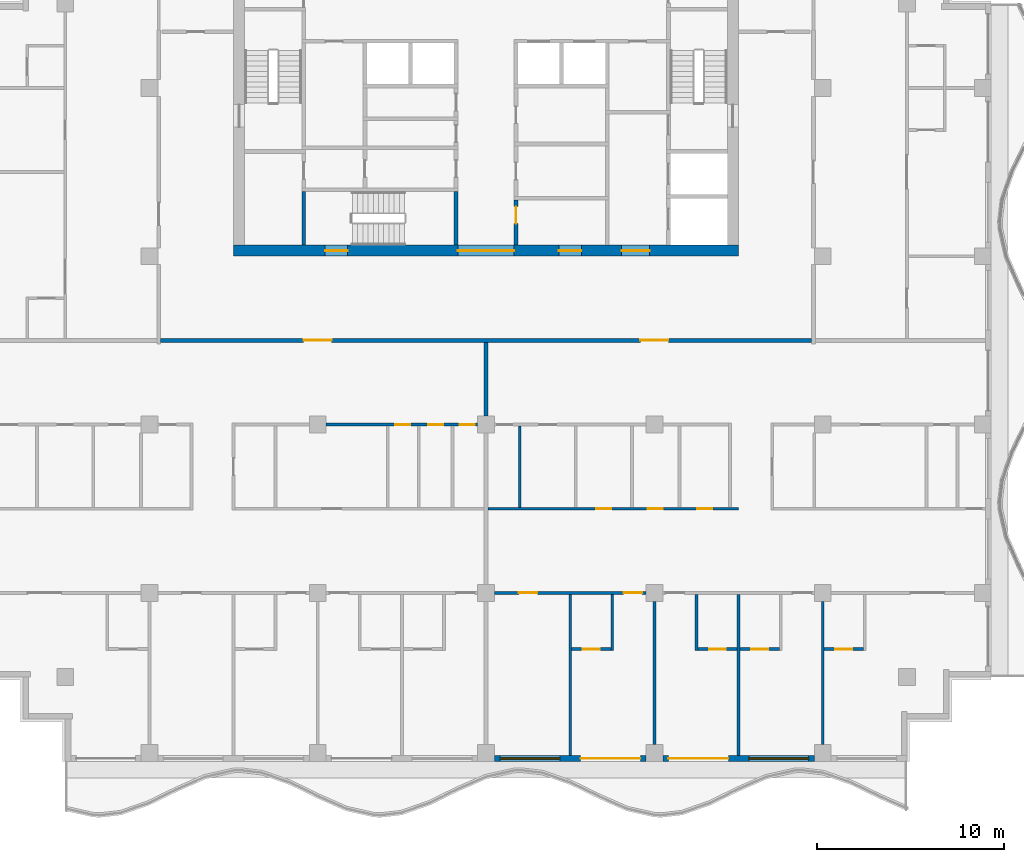
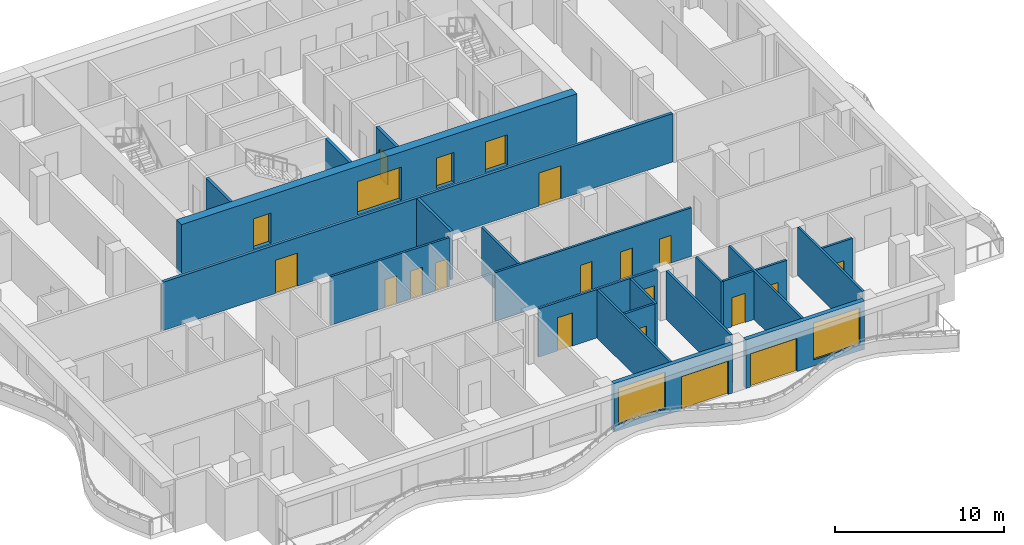
# One storey, part 3 of 11: 22 walls, 21 doors, 2 windows, 23 openings.
"""IFC4 building model written with IfcOpenShell, lengths in metres."""

from ifc_helpers import new_model, si_unit, direction, frame, frame_2d, origin, place, context, subcontext, project, spatial, rectangle, extrude, material, layer, layer_set, type_object, element, fill, save


model = new_model("IFC4")

# Units and contexts
model_context = context("Model", 3, precision=1e-05, world=origin(), true_north=direction((0.0, 1.0)))
body_context = subcontext(model_context, "Body", "Model", "MODEL_VIEW")
ifc_project = project(units=[si_unit("LENGTHUNIT", "METRE"), si_unit("AREAUNIT", "SQUARE_METRE"), si_unit("VOLUMEUNIT", "CUBIC_METRE"), si_unit("PLANEANGLEUNIT", "RADIAN"), si_unit("MASSUNIT", "GRAM", prefix="KILO")], contexts=[model_context])

# Site, building, storey
site_placement = place(None, origin())
site = spatial("IfcSite", under=ifc_project, at=site_placement, CompositionType="ELEMENT")
building_placement = place(site_placement, origin())
building = spatial("IfcBuilding", under=site, at=building_placement, Name="Orbiselva Terraces", CompositionType="ELEMENT")
storey_placement = place(building_placement, frame((0.0, 0.0, 276.8)))
storey = spatial("IfcBuildingStorey", under=building, at=storey_placement, Name="L70", CompositionType="ELEMENT", Elevation=276.8)

# Wall, openings, doors
ifc_material_1 = material(Name="Concrete C80/95", Category="concrete")
ifc_layer_1 = layer(ifc_material_1, 0.6)
ifc_layer_set_1 = layer_set([ifc_layer_1], Name="Concrete C80/95")
wall_type_1 = type_object("IfcWallType", Name="CORE WALL 600", PredefinedType="SHEAR", material=ifc_layer_set_1)
wall_1_placement = place(storey_placement, frame((-13.5, 4.8, -0.3), z_axis=(0.0, 0.0, 1.0), x_axis=(1.0, 0.0, 0.0)))
wall_1 = element("IfcWall", 1, at=wall_1_placement, inside=storey, type_object=wall_type_1, Name="Core wall L70 south", PredefinedType="SHEAR", context=body_context, shape_type="SweptSolid", body=[
    extrude(rectangle(XDim=27.0, YDim=0.6, at=frame_2d((13.5, 0.0))), origin(), (0.0, 0.0, 1.0), 3.8),
])
opening_1_placement = place(wall_1_placement, frame((12.0, 0.0, 0.3)))
opening_1 = element("IfcOpeningElement", 2, at=opening_1_placement, cuts=wall_1, Name="Opening DL3000", PredefinedType="OPENING", context=body_context, shape_type="SweptSolid", body=[
    extrude(rectangle(XDim=3.0, YDim=2.4, at=frame_2d((1.5, 1.2))), frame((0.0, 0.31, 0.0), z_axis=(0.0, -1.0, 0.0), x_axis=(1.0, 0.0, 0.0)), (0.0, 0.0, 1.0), 0.62),
])
opening_2_placement = place(wall_1_placement, frame((4.9, 0.0, 0.3)))
opening_2 = element("IfcOpeningElement", 3, at=opening_2_placement, cuts=wall_1, Name="Opening DS1200", PredefinedType="OPENING", context=body_context, shape_type="SweptSolid", body=[
    extrude(rectangle(XDim=1.2, YDim=2.2, at=frame_2d((0.6, 1.1))), frame((0.0, 0.31, 0.0), z_axis=(0.0, -1.0, 0.0), x_axis=(1.0, 0.0, 0.0)), (0.0, 0.0, 1.0), 0.62),
])
opening_3_placement = place(wall_1_placement, frame((20.75, 0.0, 0.3)))
opening_3 = element("IfcOpeningElement", 4, at=opening_3_placement, cuts=wall_1, Name="Opening DF1500", PredefinedType="OPENING", context=body_context, shape_type="SweptSolid", body=[
    extrude(rectangle(XDim=1.5, YDim=2.2, at=frame_2d((0.75, 1.1))), frame((0.0, 0.31, 0.0), z_axis=(0.0, -1.0, 0.0), x_axis=(1.0, 0.0, 0.0)), (0.0, 0.0, 1.0), 0.62),
])
opening_4_placement = place(wall_1_placement, frame((17.4, 0.0, 0.3)))
opening_4 = element("IfcOpeningElement", 5, at=opening_4_placement, cuts=wall_1, Name="Opening DV1200", PredefinedType="OPENING", context=body_context, shape_type="SweptSolid", body=[
    extrude(rectangle(XDim=1.2, YDim=2.2, at=frame_2d((0.6, 1.1))), frame((0.0, 0.31, 0.0), z_axis=(0.0, -1.0, 0.0), x_axis=(1.0, 0.0, 0.0)), (0.0, 0.0, 1.0), 0.62),
])
ifc_material_2 = material(Name="Steel fire door", Category="steel")
door_type_1 = type_object("IfcDoorType", Name="FFL DOOR 1500", OperationType="DOUBLE_DOOR_SINGLE_SWING", PredefinedType="DOOR", material=ifc_material_2)
door_1_placement = place(opening_3_placement, frame((1.5, 0.0, 0.0), z_axis=(0.0, 0.0, 1.0), x_axis=(-1.0, 0.0, 0.0)))
door_1 = element("IfcDoor", 6, at=door_1_placement, inside=storey, type_object=door_type_1, Name="L70 FIRE-FIGHTING LOBBY door", OperationType="DOUBLE_DOOR_SINGLE_SWING", OverallHeight=2.2, OverallWidth=1.5, PredefinedType="DOOR", context=body_context, shape_type="SweptSolid", body=[
    extrude(rectangle(XDim=1.5, YDim=2.2, at=frame_2d((0.75, 1.1))), frame((0.0, 0.025, 0.0), z_axis=(0.0, -1.0, 0.0), x_axis=(1.0, 0.0, 0.0)), (0.0, 0.0, 1.0), 0.05),
])
fill(opening_3, door_1)
door_type_2 = type_object("IfcDoorType", Name="LOBBY DOOR 3000", OperationType="DOUBLE_DOOR_SINGLE_SWING", PredefinedType="DOOR", material=ifc_material_2)
door_2_placement = place(opening_1_placement, frame((3.0, 0.0, 0.0), z_axis=(0.0, 0.0, 1.0), x_axis=(-1.0, 0.0, 0.0)))
door_2 = element("IfcDoor", 7, at=door_2_placement, inside=storey, type_object=door_type_2, Name="L70 LIFT LOBBY door", OperationType="DOUBLE_DOOR_SINGLE_SWING", OverallHeight=2.4, OverallWidth=3.0, PredefinedType="DOOR", context=body_context, shape_type="SweptSolid", body=[
    extrude(rectangle(XDim=3.0, YDim=2.4, at=frame_2d((1.5, 1.2))), frame((0.0, 0.025, 0.0), z_axis=(0.0, -1.0, 0.0), x_axis=(1.0, 0.0, 0.0)), (0.0, 0.0, 1.0), 0.05),
])
fill(opening_1, door_2)
door_type_3 = type_object("IfcDoorType", Name="SERVICE DOOR 1200", OperationType="NOTDEFINED", PredefinedType="DOOR", material=ifc_material_2)
door_3_placement = place(opening_4_placement, frame((1.2, 0.0, 0.0), z_axis=(0.0, 0.0, 1.0), x_axis=(-1.0, 0.0, 0.0)))
door_3 = element("IfcDoor", 8, at=door_3_placement, inside=storey, type_object=door_type_3, Name="L70 ELECTRICAL RISER ROOM door", OperationType="SINGLE_SWING_RIGHT", OverallHeight=2.2, OverallWidth=1.2, PredefinedType="DOOR", context=body_context, shape_type="SweptSolid", body=[
    extrude(rectangle(XDim=1.2, YDim=2.2, at=frame_2d((0.6, 1.1))), frame((0.0, 0.025, 0.0), z_axis=(0.0, -1.0, 0.0), x_axis=(1.0, 0.0, 0.0)), (0.0, 0.0, 1.0), 0.05),
])
fill(opening_4, door_3)
door_type_4 = type_object("IfcDoorType", Name="STAIR DOOR 1200", OperationType="NOTDEFINED", PredefinedType="DOOR", material=ifc_material_2)
door_4_placement = place(opening_2_placement, frame((1.2, 0.0, 0.0), z_axis=(0.0, 0.0, 1.0), x_axis=(-1.0, 0.0, 0.0)))
door_4 = element("IfcDoor", 9, at=door_4_placement, inside=storey, type_object=door_type_4, Name="L70 EXIT STAIR S3 door", OperationType="SINGLE_SWING_LEFT", OverallHeight=2.2, OverallWidth=1.2, PredefinedType="DOOR", context=body_context, shape_type="SweptSolid", body=[
    extrude(rectangle(XDim=1.2, YDim=2.2, at=frame_2d((0.6, 1.1))), frame((0.0, 0.025, 0.0), z_axis=(0.0, -1.0, 0.0), x_axis=(1.0, 0.0, 0.0)), (0.0, 0.0, 1.0), 0.05),
])
fill(opening_2, door_4)

# Wall, opening, door
ifc_material_3 = material(Name="Masonry blockwork", Category="masonry")
ifc_layer_2 = layer(ifc_material_3, 0.2)
ifc_layer_set_2 = layer_set([ifc_layer_2], Name="Masonry blockwork")
wall_type_2 = type_object("IfcWallType", Name="CORE-WALL-PARTITION-200", PredefinedType="PARTITIONING", material=ifc_layer_set_2)
wall_2_placement = place(storey_placement, frame((1.6, 7.5, 0.0), z_axis=(0.0, 0.0, 1.0), x_axis=(0.0, -1.0, 0.0)))
wall_2 = element("IfcWall", 10, at=wall_2_placement, inside=storey, type_object=wall_type_2, Name="L70 core wall 27", PredefinedType="PARTITIONING", context=body_context, shape_type="SweptSolid", body=[
    extrude(rectangle(XDim=2.4, YDim=0.2, at=frame_2d((1.2, 0.0))), origin(), (0.0, 0.0, 1.0), 3.5),
])
opening_5_placement = place(wall_2_placement, frame((0.35, 0.0, 0.0)))
opening_5 = element("IfcOpeningElement", 11, at=opening_5_placement, cuts=wall_2, Name="Opening DR900", PredefinedType="OPENING", context=body_context, shape_type="SweptSolid", body=[
    extrude(rectangle(XDim=0.9, YDim=2.1, at=frame_2d((0.45, 1.05))), frame((0.0, 0.11, 0.0), z_axis=(0.0, -1.0, 0.0), x_axis=(1.0, 0.0, 0.0)), (0.0, 0.0, 1.0), 0.22),
])
door_type_5 = type_object("IfcDoorType", Name="ROOM DOOR 900", OperationType="NOTDEFINED", PredefinedType="DOOR", material=ifc_material_2)
door_5_placement = place(opening_5_placement, origin())
door_5 = element("IfcDoor", 12, at=door_5_placement, inside=storey, type_object=door_type_5, Name="L70 ELECTRICAL RISER ROOM door", OperationType="SINGLE_SWING_LEFT", OverallHeight=2.1, OverallWidth=0.9, PredefinedType="DOOR", context=body_context, shape_type="SweptSolid", body=[
    extrude(rectangle(XDim=0.9, YDim=2.1, at=frame_2d((0.45, 1.05))), frame((0.0, 0.025, 0.0), z_axis=(0.0, -1.0, 0.0), x_axis=(1.0, 0.0, 0.0)), (0.0, 0.0, 1.0), 0.05),
])
fill(opening_5, door_5)

# Walls
ifc_material_4 = material(Name="Concrete C60/75", Category="concrete")
ifc_layer_3 = layer(ifc_material_4, 0.2)
ifc_layer_set_3 = layer_set([ifc_layer_3], Name="Concrete C60/75")
wall_type_3 = type_object("IfcWallType", Name="CORE-WALL-SHEAR-200", PredefinedType="SHEAR", material=ifc_layer_set_3)
for number, where, z_axis, x_axis, name in (
    (13, (-9.75, 5.1, 0.0), (0.0, 0.0, 1.0), (0.0, 1.0, 0.0), "L70 core wall 03"),
    (14, (-1.6, 5.1, 0.0), (0.0, 0.0, 1.0), (0.0, 1.0, 0.0), "L70 core wall 21"),
):
    element("IfcWall", number, at=place(storey_placement, frame(where, z_axis=z_axis, x_axis=x_axis)), inside=storey, type_object=wall_type_3, Name=name, PredefinedType="SHEAR", context=body_context, shape_type="SweptSolid", body=[
        extrude(rectangle(XDim=2.85, YDim=0.2, at=frame_2d((1.425, 0.0))), origin(), (0.0, 0.0, 1.0), 3.5),
    ])

# Wall, openings, door, window
ifc_material_5 = material(Name="Terracotta cladding on masonry backing", Category="masonry")
ifc_layer_4 = layer(ifc_material_5, 0.3)
ifc_layer_set_4 = layer_set([ifc_layer_4], Name="Terracotta cladding on masonry backing")
wall_type_4 = type_object("IfcWallType", Name="ENV-WALL-TERRACOTTA-300", PredefinedType="SOLIDWALL", material=ifc_layer_set_4)
wall_3_placement = place(storey_placement, frame((8.55, -22.35, 0.0), z_axis=(0.0, 0.0, 1.0), x_axis=(-1.0, 0.0, 0.0)))
wall_3 = element("IfcWall", 15, at=wall_3_placement, inside=storey, type_object=wall_type_4, Name="Facade wall L70 S", PredefinedType="SOLIDWALL", context=body_context, shape_type="SweptSolid", body=[
    extrude(rectangle(XDim=8.1, YDim=0.3, at=frame_2d((4.05, 0.0))), origin(), (0.0, 0.0, 1.0), 3.5),
])
opening_6_placement = place(wall_3_placement, frame((4.6, 0.0, 0.45)))
opening_6 = element("IfcOpeningElement", 16, at=opening_6_placement, cuts=wall_3, Name="Opening WN17", PredefinedType="OPENING", context=body_context, shape_type="SweptSolid", body=[
    extrude(rectangle(XDim=3.2, YDim=2.65, at=frame_2d((1.6, 1.325))), frame((0.0, 0.16, 0.0), z_axis=(0.0, -1.0, 0.0), x_axis=(1.0, 0.0, 0.0)), (0.0, 0.0, 1.0), 0.32),
])
opening_7_placement = place(wall_3_placement, frame((0.3, 0.0, 0.0)))
opening_7 = element("IfcOpeningElement", 17, at=opening_7_placement, cuts=wall_3, Name="Opening Z5-D-E13", PredefinedType="OPENING", context=body_context, shape_type="SweptSolid", body=[
    extrude(rectangle(XDim=3.2, YDim=2.4, at=frame_2d((1.6, 1.2))), frame((0.0, 0.16, 0.0), z_axis=(0.0, -1.0, 0.0), x_axis=(1.0, 0.0, 0.0)), (0.0, 0.0, 1.0), 0.32),
])
ifc_material_6 = material(Name="Clear low-e glazing in aluminium frame", Category="aluminium")
door_type_6 = type_object("IfcDoorType", Name="BALCONY DOOR 3200 X 2400", OperationType="DOUBLE_DOOR_SLIDING", PredefinedType="DOOR", material=ifc_material_6)
door_6_placement = place(opening_7_placement, origin())
door_6 = element("IfcDoor", 18, at=door_6_placement, inside=storey, type_object=door_type_6, Name="Z5-D-E13", OperationType="SINGLE_SWING_LEFT", OverallHeight=2.4, OverallWidth=3.2, PredefinedType="DOOR", context=body_context, shape_type="SweptSolid", body=[
    extrude(rectangle(XDim=3.2, YDim=2.4, at=frame_2d((1.6, 1.2))), frame((0.0, 0.025, 0.0), z_axis=(0.0, -1.0, 0.0), x_axis=(1.0, 0.0, 0.0)), (0.0, 0.0, 1.0), 0.05),
])
fill(opening_7, door_6)
window_type = type_object("IfcWindowType", Name="WINDOW 3200 X 2650 S450", PartitioningType="TRIPLE_PANEL_VERTICAL", PredefinedType="WINDOW", material=ifc_material_6)
window_1_placement = place(opening_6_placement, origin())
window_1 = element("IfcWindow", 19, at=window_1_placement, inside=storey, type_object=window_type, Name="Window L70 S", OverallHeight=2.65, OverallWidth=3.2, PartitioningType="SINGLE_PANEL", PredefinedType="WINDOW", context=body_context, shape_type="SweptSolid", body=[
    extrude(rectangle(XDim=3.2, YDim=2.65, at=frame_2d((1.6, 1.325))), frame((0.0, 0.03, 0.0), z_axis=(0.0, -1.0, 0.0), x_axis=(1.0, 0.0, 0.0)), (0.0, 0.0, 1.0), 0.06),
])
fill(opening_6, window_1)

wall_4_placement = place(storey_placement, frame((17.55, -22.35, 0.0), z_axis=(0.0, 0.0, 1.0), x_axis=(-1.0, 0.0, 0.0)))
wall_4 = element("IfcWall", 20, at=wall_4_placement, inside=storey, type_object=wall_type_4, Name="Facade wall L70 S", PredefinedType="SOLIDWALL", context=body_context, shape_type="SweptSolid", body=[
    extrude(rectangle(XDim=8.1, YDim=0.3, at=frame_2d((4.05, 0.0))), origin(), (0.0, 0.0, 1.0), 3.5),
])
opening_8_placement = place(wall_4_placement, frame((4.6, 0.0, 0.0)))
opening_8 = element("IfcOpeningElement", 21, at=opening_8_placement, cuts=wall_4, Name="Opening Z5-D-E03", PredefinedType="OPENING", context=body_context, shape_type="SweptSolid", body=[
    extrude(rectangle(XDim=3.2, YDim=2.4, at=frame_2d((1.6, 1.2))), frame((0.0, 0.16, 0.0), z_axis=(0.0, -1.0, 0.0), x_axis=(1.0, 0.0, 0.0)), (0.0, 0.0, 1.0), 0.32),
])
opening_9_placement = place(wall_4_placement, frame((0.3, 0.0, 0.45)))
opening_9 = element("IfcOpeningElement", 22, at=opening_9_placement, cuts=wall_4, Name="Opening WN17", PredefinedType="OPENING", context=body_context, shape_type="SweptSolid", body=[
    extrude(rectangle(XDim=3.2, YDim=2.65, at=frame_2d((1.6, 1.325))), frame((0.0, 0.16, 0.0), z_axis=(0.0, -1.0, 0.0), x_axis=(1.0, 0.0, 0.0)), (0.0, 0.0, 1.0), 0.32),
])
door_7_placement = place(opening_8_placement, origin())
door_7 = element("IfcDoor", 23, at=door_7_placement, inside=storey, type_object=door_type_6, Name="Z5-D-E03", OperationType="SINGLE_SWING_LEFT", OverallHeight=2.4, OverallWidth=3.2, PredefinedType="DOOR", context=body_context, shape_type="SweptSolid", body=[
    extrude(rectangle(XDim=3.2, YDim=2.4, at=frame_2d((1.6, 1.2))), frame((0.0, 0.025, 0.0), z_axis=(0.0, -1.0, 0.0), x_axis=(1.0, 0.0, 0.0)), (0.0, 0.0, 1.0), 0.05),
])
fill(opening_8, door_7)
window_2_placement = place(opening_9_placement, origin())
window_2 = element("IfcWindow", 24, at=window_2_placement, inside=storey, type_object=window_type, Name="Window L70 S", OverallHeight=2.65, OverallWidth=3.2, PartitioningType="SINGLE_PANEL", PredefinedType="WINDOW", context=body_context, shape_type="SweptSolid", body=[
    extrude(rectangle(XDim=3.2, YDim=2.65, at=frame_2d((1.6, 1.325))), frame((0.0, 0.03, 0.0), z_axis=(0.0, -1.0, 0.0), x_axis=(1.0, 0.0, 0.0)), (0.0, 0.0, 1.0), 0.06),
])
fill(opening_9, window_2)

# Wall, openings, doors
ifc_material_7 = material(Name="Plasterboard on steel stud partition", Category="steel")
ifc_layer_5 = layer(ifc_material_7, 0.2)
ifc_layer_set_5 = layer_set([ifc_layer_5], Name="Plasterboard on steel stud partition")
wall_type_5 = type_object("IfcWallType", Name="UNIT-ENTRANCE-WALL-200", PredefinedType="PARTITIONING", material=ifc_layer_set_5)
wall_5_placement = place(storey_placement, frame((17.4, 0.0, 0.0), z_axis=(0.0, 0.0, 1.0), x_axis=(-1.0, 0.0, 0.0)))
wall_5 = element("IfcWall", 25, at=wall_5_placement, inside=storey, type_object=wall_type_5, Name="PARTITION L70-027", PredefinedType="PARTITIONING", context=body_context, shape_type="SweptSolid", body=[
    extrude(rectangle(XDim=34.8, YDim=0.2, at=frame_2d((17.4, 0.0))), origin(), (0.0, 0.0, 1.0), 3.5),
])
opening_10_placement = place(wall_5_placement, frame((25.65, 0.0, 0.0)))
opening_10 = element("IfcOpeningElement", 26, at=opening_10_placement, cuts=wall_5, Name="Opening Z5-D-15", PredefinedType="OPENING", context=body_context, shape_type="SweptSolid", body=[
    extrude(rectangle(XDim=1.5, YDim=2.4, at=frame_2d((0.75, 1.2))), frame((0.0, 0.11, 0.0), z_axis=(0.0, -1.0, 0.0), x_axis=(1.0, 0.0, 0.0)), (0.0, 0.0, 1.0), 0.22),
])
opening_11_placement = place(wall_5_placement, frame((7.65, 0.0, 0.0)))
opening_11 = element("IfcOpeningElement", 27, at=opening_11_placement, cuts=wall_5, Name="Opening Z5-D-34", PredefinedType="OPENING", context=body_context, shape_type="SweptSolid", body=[
    extrude(rectangle(XDim=1.5, YDim=2.4, at=frame_2d((0.75, 1.2))), frame((0.0, 0.11, 0.0), z_axis=(0.0, -1.0, 0.0), x_axis=(1.0, 0.0, 0.0)), (0.0, 0.0, 1.0), 0.22),
])
ifc_material_8 = material(Name="Painted timber door leaf", Category="wood")
door_type_7 = type_object("IfcDoorType", Name="ENTRANCE DOUBLE DOOR 1500", OperationType="NOTDEFINED", PredefinedType="DOOR", material=ifc_material_8)
door_8_placement = place(opening_10_placement, origin())
door_8 = element("IfcDoor", 28, at=door_8_placement, inside=storey, type_object=door_type_7, Name="Z5-D-15", OperationType="DOUBLE_DOOR_SINGLE_SWING", OverallHeight=2.4, OverallWidth=1.5, PredefinedType="DOOR", context=body_context, shape_type="SweptSolid", body=[
    extrude(rectangle(XDim=1.5, YDim=2.4, at=frame_2d((0.75, 1.2))), frame((0.0, 0.025, 0.0), z_axis=(0.0, -1.0, 0.0), x_axis=(1.0, 0.0, 0.0)), (0.0, 0.0, 1.0), 0.05),
])
fill(opening_10, door_8)
door_9_placement = place(opening_11_placement, origin())
door_9 = element("IfcDoor", 29, at=door_9_placement, inside=storey, type_object=door_type_7, Name="Z5-D-34", OperationType="DOUBLE_DOOR_SINGLE_SWING", OverallHeight=2.4, OverallWidth=1.5, PredefinedType="DOOR", context=body_context, shape_type="SweptSolid", body=[
    extrude(rectangle(XDim=1.5, YDim=2.4, at=frame_2d((0.75, 1.2))), frame((0.0, 0.025, 0.0), z_axis=(0.0, -1.0, 0.0), x_axis=(1.0, 0.0, 0.0)), (0.0, 0.0, 1.0), 0.05),
])
fill(opening_11, door_9)

# Wall, opening, door
ifc_layer_6 = layer(ifc_material_7, 0.15)
ifc_layer_set_6 = layer_set([ifc_layer_6], Name="Plasterboard on steel stud partition")
wall_type_6 = type_object("IfcWallType", Name="UNIT-PARTITION-150", PredefinedType="PARTITIONING", material=ifc_layer_set_6)
wall_6_placement = place(storey_placement, frame((4.575, -16.5, 0.0), z_axis=(0.0, 0.0, 1.0), x_axis=(1.0, 0.0, 0.0)))
wall_6 = element("IfcWall", 30, at=wall_6_placement, inside=storey, type_object=wall_type_6, Name="PARTITION L70-005", PredefinedType="PARTITIONING", context=body_context, shape_type="SweptSolid", body=[
    extrude(rectangle(XDim=2.1, YDim=0.15, at=frame_2d((1.05, 0.0))), origin(), (0.0, 0.0, 1.0), 3.5),
])
opening_12_placement = place(wall_6_placement, frame((0.6, 0.0, 0.0)))
opening_12 = element("IfcOpeningElement", 31, at=opening_12_placement, cuts=wall_6, Name="Opening Z5-D-51", PredefinedType="OPENING", context=body_context, shape_type="SweptSolid", body=[
    extrude(rectangle(XDim=0.9, YDim=2.1, at=frame_2d((0.45, 1.05))), frame((0.0, 0.085, 0.0), z_axis=(0.0, -1.0, 0.0), x_axis=(1.0, 0.0, 0.0)), (0.0, 0.0, 1.0), 0.17),
])
door_type_8 = type_object("IfcDoorType", Name="BATH DOOR 900", OperationType="NOTDEFINED", PredefinedType="DOOR", material=ifc_material_8)
door_10_placement = place(opening_12_placement, origin())
door_10 = element("IfcDoor", 32, at=door_10_placement, inside=storey, type_object=door_type_8, Name="Z5-D-51", OperationType="SINGLE_SWING_LEFT", OverallHeight=2.1, OverallWidth=0.9, PredefinedType="DOOR", context=body_context, shape_type="SweptSolid", body=[
    extrude(rectangle(XDim=0.9, YDim=2.1, at=frame_2d((0.45, 1.05))), frame((0.0, 0.025, 0.0), z_axis=(0.0, -1.0, 0.0), x_axis=(1.0, 0.0, 0.0)), (0.0, 0.0, 1.0), 0.05),
])
fill(opening_12, door_10)

wall_7_placement = place(storey_placement, frame((11.325, -16.5, 0.0), z_axis=(0.0, 0.0, 1.0), x_axis=(1.0, 0.0, 0.0)))
wall_7 = element("IfcWall", 33, at=wall_7_placement, inside=storey, type_object=wall_type_6, Name="PARTITION L70-006", PredefinedType="PARTITIONING", context=body_context, shape_type="SweptSolid", body=[
    extrude(rectangle(XDim=2.1, YDim=0.15, at=frame_2d((1.05, 0.0))), origin(), (0.0, 0.0, 1.0), 3.5),
])
opening_13_placement = place(wall_7_placement, frame((0.6, 0.0, 0.0)))
opening_13 = element("IfcOpeningElement", 34, at=opening_13_placement, cuts=wall_7, Name="Opening Z5-D-49", PredefinedType="OPENING", context=body_context, shape_type="SweptSolid", body=[
    extrude(rectangle(XDim=0.9, YDim=2.1, at=frame_2d((0.45, 1.05))), frame((0.0, 0.085, 0.0), z_axis=(0.0, -1.0, 0.0), x_axis=(1.0, 0.0, 0.0)), (0.0, 0.0, 1.0), 0.17),
])
door_11_placement = place(opening_13_placement, origin())
door_11 = element("IfcDoor", 35, at=door_11_placement, inside=storey, type_object=door_type_8, Name="Z5-D-49", OperationType="SINGLE_SWING_LEFT", OverallHeight=2.1, OverallWidth=0.9, PredefinedType="DOOR", context=body_context, shape_type="SweptSolid", body=[
    extrude(rectangle(XDim=0.9, YDim=2.1, at=frame_2d((0.45, 1.05))), frame((0.0, 0.025, 0.0), z_axis=(0.0, -1.0, 0.0), x_axis=(1.0, 0.0, 0.0)), (0.0, 0.0, 1.0), 0.05),
])
fill(opening_13, door_11)

wall_8_placement = place(storey_placement, frame((13.575, -16.5, 0.0), z_axis=(0.0, 0.0, 1.0), x_axis=(1.0, 0.0, 0.0)))
wall_8 = element("IfcWall", 36, at=wall_8_placement, inside=storey, type_object=wall_type_6, Name="PARTITION L70-007", PredefinedType="PARTITIONING", context=body_context, shape_type="SweptSolid", body=[
    extrude(rectangle(XDim=2.1, YDim=0.15, at=frame_2d((1.05, 0.0))), origin(), (0.0, 0.0, 1.0), 3.5),
])
opening_14_placement = place(wall_8_placement, frame((0.6, 0.0, 0.0)))
opening_14 = element("IfcOpeningElement", 37, at=opening_14_placement, cuts=wall_8, Name="Opening Z5-D-47", PredefinedType="OPENING", context=body_context, shape_type="SweptSolid", body=[
    extrude(rectangle(XDim=0.9, YDim=2.1, at=frame_2d((0.45, 1.05))), frame((0.0, 0.085, 0.0), z_axis=(0.0, -1.0, 0.0), x_axis=(1.0, 0.0, 0.0)), (0.0, 0.0, 1.0), 0.17),
])
door_12_placement = place(opening_14_placement, origin())
door_12 = element("IfcDoor", 38, at=door_12_placement, inside=storey, type_object=door_type_8, Name="Z5-D-47", OperationType="SINGLE_SWING_LEFT", OverallHeight=2.1, OverallWidth=0.9, PredefinedType="DOOR", context=body_context, shape_type="SweptSolid", body=[
    extrude(rectangle(XDim=0.9, YDim=2.1, at=frame_2d((0.45, 1.05))), frame((0.0, 0.025, 0.0), z_axis=(0.0, -1.0, 0.0), x_axis=(1.0, 0.0, 0.0)), (0.0, 0.0, 1.0), 0.05),
])
fill(opening_14, door_12)

wall_9_placement = place(storey_placement, frame((18.075, -16.5, 0.0), z_axis=(0.0, 0.0, 1.0), x_axis=(1.0, 0.0, 0.0)))
wall_9 = element("IfcWall", 39, at=wall_9_placement, inside=storey, type_object=wall_type_6, Name="PARTITION L70-008", PredefinedType="PARTITIONING", context=body_context, shape_type="SweptSolid", body=[
    extrude(rectangle(XDim=2.1, YDim=0.15, at=frame_2d((1.05, 0.0))), origin(), (0.0, 0.0, 1.0), 3.5),
])
opening_15_placement = place(wall_9_placement, frame((0.6, 0.0, 0.0)))
opening_15 = element("IfcOpeningElement", 40, at=opening_15_placement, cuts=wall_9, Name="Opening Z5-D-45", PredefinedType="OPENING", context=body_context, shape_type="SweptSolid", body=[
    extrude(rectangle(XDim=0.9, YDim=2.1, at=frame_2d((0.45, 1.05))), frame((0.0, 0.085, 0.0), z_axis=(0.0, -1.0, 0.0), x_axis=(1.0, 0.0, 0.0)), (0.0, 0.0, 1.0), 0.17),
])
door_13_placement = place(opening_15_placement, origin())
door_13 = element("IfcDoor", 41, at=door_13_placement, inside=storey, type_object=door_type_8, Name="Z5-D-45", OperationType="SINGLE_SWING_LEFT", OverallHeight=2.1, OverallWidth=0.9, PredefinedType="DOOR", context=body_context, shape_type="SweptSolid", body=[
    extrude(rectangle(XDim=0.9, YDim=2.1, at=frame_2d((0.45, 1.05))), frame((0.0, 0.025, 0.0), z_axis=(0.0, -1.0, 0.0), x_axis=(1.0, 0.0, 0.0)), (0.0, 0.0, 1.0), 0.05),
])
fill(opening_15, door_13)

# Wall, openings, doors
wall_10_placement = place(storey_placement, frame((8.55, -13.5, 0.0), z_axis=(0.0, 0.0, 1.0), x_axis=(-1.0, 0.0, 0.0)))
wall_10 = element("IfcWall", 42, at=wall_10_placement, inside=storey, type_object=wall_type_6, Name="PARTITION L70-012", PredefinedType="PARTITIONING", context=body_context, shape_type="SweptSolid", body=[
    extrude(rectangle(XDim=8.1, YDim=0.15, at=frame_2d((4.05, 0.0))), origin(), (0.0, 0.0, 1.0), 3.5),
])
opening_16_placement = place(wall_10_placement, frame((0.2, 0.0, 0.0)))
opening_16 = element("IfcOpeningElement", 43, at=opening_16_placement, cuts=wall_10, Name="Opening Z5-D-50", PredefinedType="OPENING", context=body_context, shape_type="SweptSolid", body=[
    extrude(rectangle(XDim=1.0, YDim=2.4, at=frame_2d((0.5, 1.2))), frame((0.0, 0.085, 0.0), z_axis=(0.0, -1.0, 0.0), x_axis=(1.0, 0.0, 0.0)), (0.0, 0.0, 1.0), 0.17),
])
opening_17_placement = place(wall_10_placement, frame((5.8, 0.0, 0.0)))
opening_17 = element("IfcOpeningElement", 44, at=opening_17_placement, cuts=wall_10, Name="Opening Z5-D-52", PredefinedType="OPENING", context=body_context, shape_type="SweptSolid", body=[
    extrude(rectangle(XDim=1.0, YDim=2.4, at=frame_2d((0.5, 1.2))), frame((0.0, 0.085, 0.0), z_axis=(0.0, -1.0, 0.0), x_axis=(1.0, 0.0, 0.0)), (0.0, 0.0, 1.0), 0.17),
])
door_type_9 = type_object("IfcDoorType", Name="ROOM DOOR 1000", OperationType="NOTDEFINED", PredefinedType="DOOR", material=ifc_material_8)
door_14_placement = place(opening_16_placement, origin())
door_14 = element("IfcDoor", 45, at=door_14_placement, inside=storey, type_object=door_type_9, Name="Z5-D-50", OperationType="SINGLE_SWING_LEFT", OverallHeight=2.4, OverallWidth=1.0, PredefinedType="DOOR", context=body_context, shape_type="SweptSolid", body=[
    extrude(rectangle(XDim=1.0, YDim=2.4, at=frame_2d((0.5, 1.2))), frame((0.0, 0.025, 0.0), z_axis=(0.0, -1.0, 0.0), x_axis=(1.0, 0.0, 0.0)), (0.0, 0.0, 1.0), 0.05),
])
fill(opening_16, door_14)
door_15_placement = place(opening_17_placement, origin())
door_15 = element("IfcDoor", 46, at=door_15_placement, inside=storey, type_object=door_type_9, Name="Z5-D-52", OperationType="SINGLE_SWING_RIGHT", OverallHeight=2.4, OverallWidth=1.0, PredefinedType="DOOR", context=body_context, shape_type="SweptSolid", body=[
    extrude(rectangle(XDim=1.0, YDim=2.4, at=frame_2d((0.5, 1.2))), frame((0.0, 0.025, 0.0), z_axis=(0.0, -1.0, 0.0), x_axis=(1.0, 0.0, 0.0)), (0.0, 0.0, 1.0), 0.05),
])
fill(opening_17, door_15)

wall_11_placement = place(storey_placement, frame((0.1, -9.0, 0.0), z_axis=(0.0, 0.0, 1.0), x_axis=(1.0, 0.0, 0.0)))
wall_11 = element("IfcWall", 47, at=wall_11_placement, inside=storey, type_object=wall_type_6, Name="PARTITION L70-017", PredefinedType="PARTITIONING", context=body_context, shape_type="SweptSolid", body=[
    extrude(rectangle(XDim=13.4, YDim=0.15, at=frame_2d((6.7, 0.0))), origin(), (0.0, 0.0, 1.0), 3.5),
])
opening_18_placement = place(wall_11_placement, frame((11.2, 0.0, 0.0)))
opening_18 = element("IfcOpeningElement", 48, at=opening_18_placement, cuts=wall_11, Name="Opening Z5-D-39", PredefinedType="OPENING", context=body_context, shape_type="SweptSolid", body=[
    extrude(rectangle(XDim=0.8, YDim=2.0, at=frame_2d((0.4, 1.0))), frame((0.0, 0.085, 0.0), z_axis=(0.0, -1.0, 0.0), x_axis=(1.0, 0.0, 0.0)), (0.0, 0.0, 1.0), 0.17),
])
opening_19_placement = place(wall_11_placement, frame((8.55, 0.0, 0.0)))
opening_19 = element("IfcOpeningElement", 49, at=opening_19_placement, cuts=wall_11, Name="Opening Z5-D-40", PredefinedType="OPENING", context=body_context, shape_type="SweptSolid", body=[
    extrude(rectangle(XDim=0.8, YDim=2.0, at=frame_2d((0.4, 1.0))), frame((0.0, 0.085, 0.0), z_axis=(0.0, -1.0, 0.0), x_axis=(1.0, 0.0, 0.0)), (0.0, 0.0, 1.0), 0.17),
])
opening_20_placement = place(wall_11_placement, frame((5.8, 0.0, 0.0)))
opening_20 = element("IfcOpeningElement", 50, at=opening_20_placement, cuts=wall_11, Name="Opening Z5-D-41", PredefinedType="OPENING", context=body_context, shape_type="SweptSolid", body=[
    extrude(rectangle(XDim=0.8, YDim=2.0, at=frame_2d((0.4, 1.0))), frame((0.0, 0.085, 0.0), z_axis=(0.0, -1.0, 0.0), x_axis=(1.0, 0.0, 0.0)), (0.0, 0.0, 1.0), 0.17),
])
door_type_10 = type_object("IfcDoorType", Name="STORE DOOR 800", OperationType="NOTDEFINED", PredefinedType="DOOR", material=ifc_material_8)
door_16_placement = place(opening_18_placement, origin())
door_16 = element("IfcDoor", 51, at=door_16_placement, inside=storey, type_object=door_type_10, Name="Z5-D-39", OperationType="SINGLE_SWING_RIGHT", OverallHeight=2.0, OverallWidth=0.8, PredefinedType="DOOR", context=body_context, shape_type="SweptSolid", body=[
    extrude(rectangle(XDim=0.8, YDim=2.0, at=frame_2d((0.4, 1.0))), frame((0.0, 0.025, 0.0), z_axis=(0.0, -1.0, 0.0), x_axis=(1.0, 0.0, 0.0)), (0.0, 0.0, 1.0), 0.05),
])
fill(opening_18, door_16)
door_17_placement = place(opening_19_placement, origin())
door_17 = element("IfcDoor", 52, at=door_17_placement, inside=storey, type_object=door_type_10, Name="Z5-D-40", OperationType="SINGLE_SWING_RIGHT", OverallHeight=2.0, OverallWidth=0.8, PredefinedType="DOOR", context=body_context, shape_type="SweptSolid", body=[
    extrude(rectangle(XDim=0.8, YDim=2.0, at=frame_2d((0.4, 1.0))), frame((0.0, 0.025, 0.0), z_axis=(0.0, -1.0, 0.0), x_axis=(1.0, 0.0, 0.0)), (0.0, 0.0, 1.0), 0.05),
])
fill(opening_19, door_17)
door_18_placement = place(opening_20_placement, origin())
door_18 = element("IfcDoor", 53, at=door_18_placement, inside=storey, type_object=door_type_10, Name="Z5-D-41", OperationType="SINGLE_SWING_LEFT", OverallHeight=2.0, OverallWidth=0.8, PredefinedType="DOOR", context=body_context, shape_type="SweptSolid", body=[
    extrude(rectangle(XDim=0.8, YDim=2.0, at=frame_2d((0.4, 1.0))), frame((0.0, 0.025, 0.0), z_axis=(0.0, -1.0, 0.0), x_axis=(1.0, 0.0, 0.0)), (0.0, 0.0, 1.0), 0.05),
])
fill(opening_20, door_18)

wall_12_placement = place(storey_placement, frame((-0.45, -4.5, 0.0), z_axis=(0.0, 0.0, 1.0), x_axis=(-1.0, 0.0, 0.0)))
wall_12 = element("IfcWall", 54, at=wall_12_placement, inside=storey, type_object=wall_type_6, Name="PARTITION L70-022", PredefinedType="PARTITIONING", context=body_context, shape_type="SweptSolid", body=[
    extrude(rectangle(XDim=8.1, YDim=0.15, at=frame_2d((4.05, 0.0))), origin(), (0.0, 0.0, 1.0), 3.5),
])
opening_21_placement = place(wall_12_placement, frame((0.15, 0.0, 0.0)))
opening_21 = element("IfcOpeningElement", 55, at=opening_21_placement, cuts=wall_12, Name="Opening Z5-D-16", PredefinedType="OPENING", context=body_context, shape_type="SweptSolid", body=[
    extrude(rectangle(XDim=0.8, YDim=2.0, at=frame_2d((0.4, 1.0))), frame((0.0, 0.085, 0.0), z_axis=(0.0, -1.0, 0.0), x_axis=(1.0, 0.0, 0.0)), (0.0, 0.0, 1.0), 0.17),
])
opening_22_placement = place(wall_12_placement, frame((1.85, 0.0, 0.0)))
opening_22 = element("IfcOpeningElement", 56, at=opening_22_placement, cuts=wall_12, Name="Opening Z5-D-17", PredefinedType="OPENING", context=body_context, shape_type="SweptSolid", body=[
    extrude(rectangle(XDim=0.8, YDim=2.0, at=frame_2d((0.4, 1.0))), frame((0.0, 0.085, 0.0), z_axis=(0.0, -1.0, 0.0), x_axis=(1.0, 0.0, 0.0)), (0.0, 0.0, 1.0), 0.17),
])
opening_23_placement = place(wall_12_placement, frame((3.6, 0.0, 0.0)))
opening_23 = element("IfcOpeningElement", 57, at=opening_23_placement, cuts=wall_12, Name="Opening Z5-D-18", PredefinedType="OPENING", context=body_context, shape_type="SweptSolid", body=[
    extrude(rectangle(XDim=0.8, YDim=2.0, at=frame_2d((0.4, 1.0))), frame((0.0, 0.085, 0.0), z_axis=(0.0, -1.0, 0.0), x_axis=(1.0, 0.0, 0.0)), (0.0, 0.0, 1.0), 0.17),
])
door_19_placement = place(opening_21_placement, origin())
door_19 = element("IfcDoor", 58, at=door_19_placement, inside=storey, type_object=door_type_10, Name="Z5-D-16", OperationType="SINGLE_SWING_LEFT", OverallHeight=2.0, OverallWidth=0.8, PredefinedType="DOOR", context=body_context, shape_type="SweptSolid", body=[
    extrude(rectangle(XDim=0.8, YDim=2.0, at=frame_2d((0.4, 1.0))), frame((0.0, 0.025, 0.0), z_axis=(0.0, -1.0, 0.0), x_axis=(1.0, 0.0, 0.0)), (0.0, 0.0, 1.0), 0.05),
])
fill(opening_21, door_19)
door_20_placement = place(opening_22_placement, origin())
door_20 = element("IfcDoor", 59, at=door_20_placement, inside=storey, type_object=door_type_10, Name="Z5-D-17", OperationType="SINGLE_SWING_LEFT", OverallHeight=2.0, OverallWidth=0.8, PredefinedType="DOOR", context=body_context, shape_type="SweptSolid", body=[
    extrude(rectangle(XDim=0.8, YDim=2.0, at=frame_2d((0.4, 1.0))), frame((0.0, 0.025, 0.0), z_axis=(0.0, -1.0, 0.0), x_axis=(1.0, 0.0, 0.0)), (0.0, 0.0, 1.0), 0.05),
])
fill(opening_22, door_20)
door_21_placement = place(opening_23_placement, origin())
door_21 = element("IfcDoor", 60, at=door_21_placement, inside=storey, type_object=door_type_10, Name="Z5-D-18", OperationType="SINGLE_SWING_LEFT", OverallHeight=2.0, OverallWidth=0.8, PredefinedType="DOOR", context=body_context, shape_type="SweptSolid", body=[
    extrude(rectangle(XDim=0.8, YDim=2.0, at=frame_2d((0.4, 1.0))), frame((0.0, 0.025, 0.0), z_axis=(0.0, -1.0, 0.0), x_axis=(1.0, 0.0, 0.0)), (0.0, 0.0, 1.0), 0.05),
])
fill(opening_23, door_21)

# Walls
wall_13_placement = place(storey_placement, frame((1.8, -8.925, 0.0), z_axis=(0.0, 0.0, 1.0), x_axis=(0.0, 1.0, 0.0)))
element("IfcWall", 61, at=wall_13_placement, inside=storey, type_object=wall_type_6, Name="PARTITION L70-069", PredefinedType="PARTITIONING", context=body_context, shape_type="SweptSolid", body=[
    extrude(rectangle(XDim=4.35, YDim=0.15, at=frame_2d((2.175, 0.0))), origin(), (0.0, 0.0, 1.0), 3.5),
])
wall_14_placement = place(storey_placement, frame((4.5, -22.2, 0.0), z_axis=(0.0, 0.0, 1.0), x_axis=(0.0, 1.0, 0.0)))
element("IfcWall", 62, at=wall_14_placement, inside=storey, type_object=wall_type_6, Name="PARTITION L70-070", PredefinedType="PARTITIONING", context=body_context, shape_type="SweptSolid", body=[
    extrude(rectangle(XDim=8.625, YDim=0.15, at=frame_2d((4.3125, 0.0))), origin(), (0.0, 0.0, 1.0), 3.5),
])
wall_15_placement = place(storey_placement, frame((6.75, -16.575, 0.0), z_axis=(0.0, 0.0, 1.0), x_axis=(0.0, 1.0, 0.0)))
element("IfcWall", 63, at=wall_15_placement, inside=storey, type_object=wall_type_6, Name="PARTITION L70-072", PredefinedType="PARTITIONING", context=body_context, shape_type="SweptSolid", body=[
    extrude(rectangle(XDim=3.0, YDim=0.15, at=frame_2d((1.5, 0.0))), origin(), (0.0, 0.0, 1.0), 3.5),
])
wall_16_placement = place(storey_placement, frame((9.0, -21.6, 0.0), z_axis=(0.0, 0.0, 1.0), x_axis=(0.0, 1.0, 0.0)))
element("IfcWall", 64, at=wall_16_placement, inside=storey, type_object=wall_type_6, Name="PARTITION L70-074", PredefinedType="PARTITIONING", context=body_context, shape_type="SweptSolid", body=[
    extrude(rectangle(XDim=7.65, YDim=0.15, at=frame_2d((3.825, 0.0))), origin(), (0.0, 0.0, 1.0), 3.5),
])
wall_17_placement = place(storey_placement, frame((11.25, -16.575, 0.0), z_axis=(0.0, 0.0, 1.0), x_axis=(0.0, 1.0, 0.0)))
element("IfcWall", 65, at=wall_17_placement, inside=storey, type_object=wall_type_6, Name="PARTITION L70-076", PredefinedType="PARTITIONING", context=body_context, shape_type="SweptSolid", body=[
    extrude(rectangle(XDim=3.0, YDim=0.15, at=frame_2d((1.5, 0.0))), origin(), (0.0, 0.0, 1.0), 3.5),
])
wall_18_placement = place(storey_placement, frame((13.5, -22.2, 0.0), z_axis=(0.0, 0.0, 1.0), x_axis=(0.0, 1.0, 0.0)))
element("IfcWall", 66, at=wall_18_placement, inside=storey, type_object=wall_type_6, Name="PARTITION L70-078", PredefinedType="PARTITIONING", context=body_context, shape_type="SweptSolid", body=[
    extrude(rectangle(XDim=8.625, YDim=0.15, at=frame_2d((4.3125, 0.0))), origin(), (0.0, 0.0, 1.0), 3.5),
])
wall_19_placement = place(storey_placement, frame((18.0, -21.6, 0.0), z_axis=(0.0, 0.0, 1.0), x_axis=(0.0, 1.0, 0.0)))
element("IfcWall", 67, at=wall_19_placement, inside=storey, type_object=wall_type_6, Name="PARTITION L70-086", PredefinedType="PARTITIONING", context=body_context, shape_type="SweptSolid", body=[
    extrude(rectangle(XDim=7.65, YDim=0.15, at=frame_2d((3.825, 0.0))), origin(), (0.0, 0.0, 1.0), 3.5),
])
ifc_layer_7 = layer(ifc_material_7, 0.2)
ifc_layer_set_7 = layer_set([ifc_layer_7], Name="Plasterboard on steel stud partition")
wall_type_7 = type_object("IfcWallType", Name="UNIT-PARTY-WALL-200", PredefinedType="PARTITIONING", material=ifc_layer_set_7)
wall_20_placement = place(storey_placement, frame((0.0, -4.05, 0.0), z_axis=(0.0, 0.0, 1.0), x_axis=(0.0, 1.0, 0.0)))
element("IfcWall", 68, at=wall_20_placement, inside=storey, type_object=wall_type_7, Name="PARTITION L70-068", PredefinedType="PARTITIONING", context=body_context, shape_type="SweptSolid", body=[
    extrude(rectangle(XDim=3.95, YDim=0.2, at=frame_2d((1.975, 0.0))), origin(), (0.0, 0.0, 1.0), 3.5),
])

save(model, "model.ifc")
